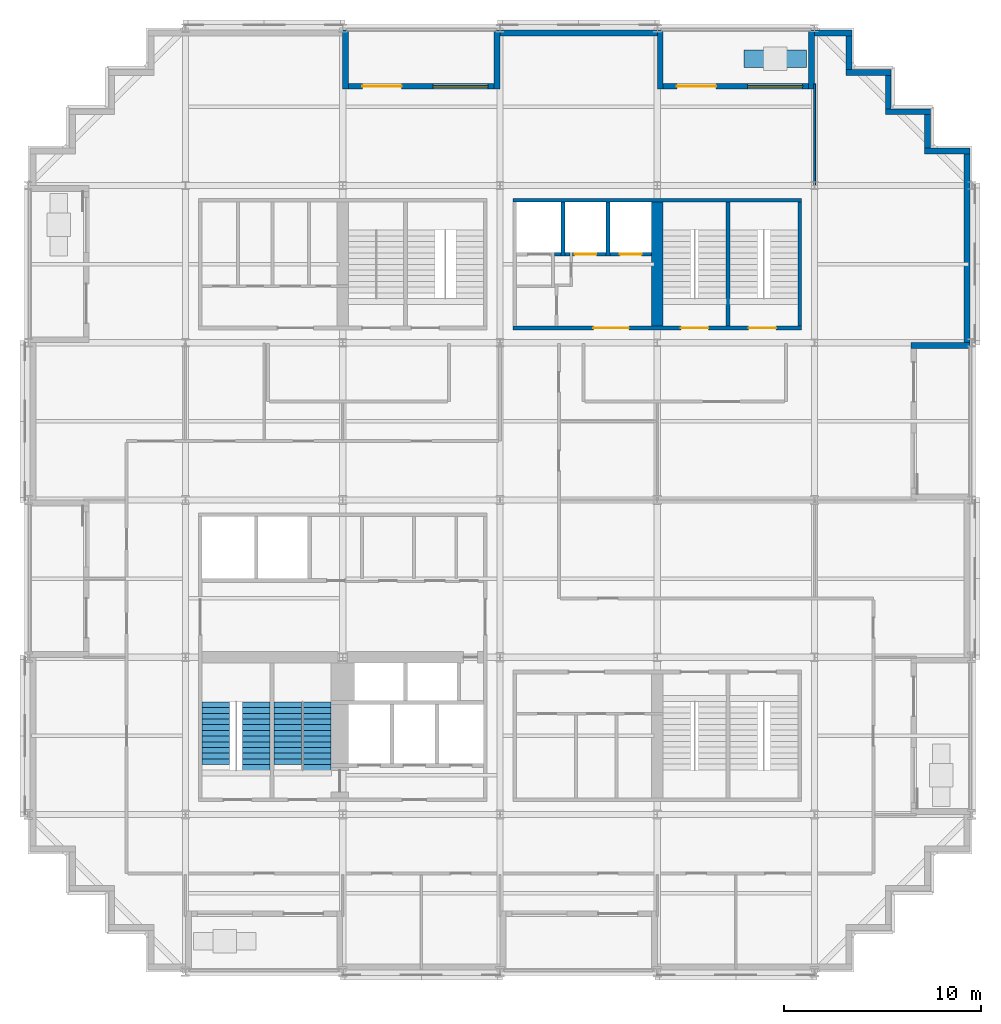
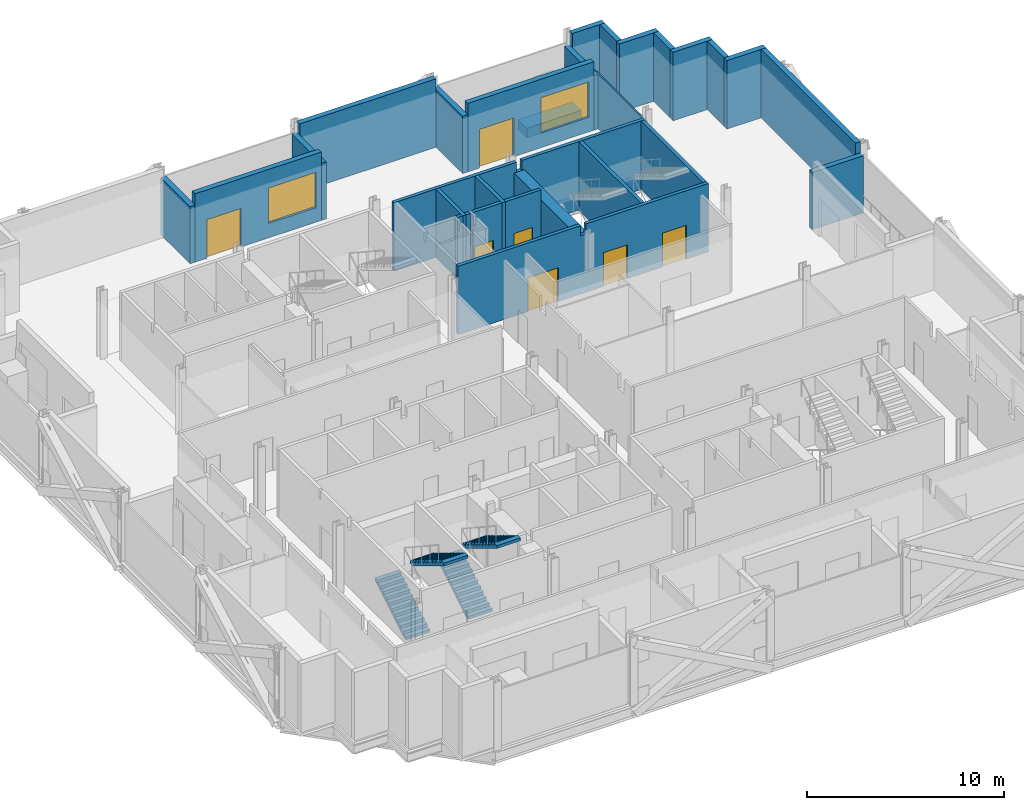
# One storey, part 9 of 13: 29 walls, 7 doors, 4 stair flights, 2 windows, 9 openings, 2 elements without a shape of their own.
"""IFC4 building model written with IfcOpenShell, lengths in metres."""

from ifc_helpers import new_model, si_unit, direction, frame, frame_2d, origin, place, context, subcontext, project, spatial, polyline, rectangle, outline, extrude, material, layer, layer_set, type_object, element, fill, aggregate, save


model = new_model("IFC4")

# Units and contexts
model_context = context("Model", 3, precision=1e-05, world=origin(), true_north=direction((0.0, 1.0)))
body_context = subcontext(model_context, "Body", "Model", "MODEL_VIEW")
ifc_project = project(units=[si_unit("LENGTHUNIT", "METRE"), si_unit("AREAUNIT", "SQUARE_METRE"), si_unit("VOLUMEUNIT", "CUBIC_METRE"), si_unit("PLANEANGLEUNIT", "RADIAN"), si_unit("MASSUNIT", "GRAM", prefix="KILO")], contexts=[model_context])

# Site, building, storey
site_placement = place(None, origin())
site = spatial("IfcSite", under=ifc_project, at=site_placement, CompositionType="ELEMENT")
building_placement = place(site_placement, origin())
building = spatial("IfcBuilding", under=site, at=building_placement, Name="Immortelle Media Tower", CompositionType="ELEMENT")
storey_placement = place(building_placement, frame((0.0, 0.0, 56.800048828125)))
storey = spatial("IfcBuildingStorey", under=building, at=storey_placement, Name="L09", CompositionType="ELEMENT", Elevation=56.800048828125)

# Walls
ifc_material_1 = material(Name="Fire-rated gypsum board", Category="gypsum")
ifc_layer_1 = layer(ifc_material_1, 0.03759765625)
ifc_material_2 = material(Name="Steel ASTM A653 SS Gr 50 stud frame with mineral wool", Category="steel")
ifc_layer_2 = layer(ifc_material_2, 0.125)
ifc_layer_3 = layer(ifc_material_1, 0.03759765625)
ifc_layer_set_1 = layer_set([ifc_layer_1, ifc_layer_2, ifc_layer_3], Name="Steel ASTM A653 SS Gr 50 stud frame with mineral wool")
wall_type_1 = type_object("IfcWallType", Name="Core shaft wall 200", PredefinedType="PARTITIONING", material=ifc_layer_set_1)
wall_1_placement = place(storey_placement, frame((26.77490234375, 36.5, 0.0), z_axis=(0.0, 0.0, 1.0), x_axis=(1.0, 0.0, 0.0)))
element("IfcWall", 1, at=wall_1_placement, inside=storey, type_object=wall_type_1, Name="Core shaft wall NE", PredefinedType="PARTITIONING", context=body_context, shape_type="SweptSolid", body=[
    extrude(rectangle(XDim=0.3251953125, YDim=0.199951171875, at=frame_2d((0.16259765625, 0.0))), origin(), (0.0, 0.0, 1.0), 4.25),
])
wall_2_placement = place(storey_placement, frame((27.199951171875, 36.39990234375, 0.0), z_axis=(0.0, 0.0, 1.0), x_axis=(0.0, 1.0, 0.0)))
element("IfcWall", 2, at=wall_2_placement, inside=storey, type_object=wall_type_1, Name="Core shaft wall NE", PredefinedType="PARTITIONING", context=body_context, shape_type="SweptSolid", body=[
    extrude(rectangle(XDim=2.75, YDim=0.199951171875, at=frame_2d((1.375, 0.0))), origin(), (0.0, 0.0, 1.0), 4.25),
])
wall_3_placement = place(storey_placement, frame((27.300048828125, 36.5, 0.0), z_axis=(0.0, 0.0, 1.0), x_axis=(1.0, 0.0, 0.0)))
element("IfcWall", 3, at=wall_3_placement, inside=storey, type_object=wall_type_1, Name="Core shaft wall NE", PredefinedType="PARTITIONING", context=body_context, shape_type="SweptSolid", body=[
    extrude(rectangle(XDim=0.25, YDim=0.199951171875, at=frame_2d((0.125, 0.0))), origin(), (0.0, 0.0, 1.0), 4.25),
])

# Wall, opening, door
wall_4_placement = place(storey_placement, frame((27.699951171875, 36.5, 0.0), z_axis=(0.0, 0.0, 1.0), x_axis=(1.0, 0.0, 0.0)))
wall_4 = element("IfcWall", 4, at=wall_4_placement, inside=storey, type_object=wall_type_1, Name="Core shaft wall NE", PredefinedType="PARTITIONING", context=body_context, shape_type="SweptSolid", body=[
    extrude(rectangle(XDim=1.699951171875, YDim=0.199951171875, at=frame_2d((0.85009765625, 0.0))), origin(), (0.0, 0.0, 1.0), 4.25),
])
opening_1_placement = place(wall_4_placement, frame((0.10009765625, 0.0, 0.0)))
opening_1 = element("IfcOpeningElement", 5, at=opening_1_placement, cuts=wall_4, Name="Opening LD", PredefinedType="OPENING", context=body_context, shape_type="SweptSolid", body=[
    extrude(rectangle(XDim=1.10009765625, YDim=2.10009765625, at=frame_2d((0.550048828125, 1.050048828125))), frame((0.0, 0.10986328125, 0.0), z_axis=(0.0, -1.0, 0.0), x_axis=(1.0, 0.0, 0.0)), (0.0, 0.0, 1.0), 0.219970703125),
])
ifc_material_3 = material(Name="Stainless steel AISI 304", Category="steel")
door_type_1 = type_object("IfcDoorType", Name="Landing door 1100 x 2100", OperationType="SLIDING_TO_LEFT", PredefinedType="NOTDEFINED", material=ifc_material_3)
door_1_placement = place(opening_1_placement, origin())
door_1 = element("IfcDoor", 6, at=door_1_placement, inside=storey, type_object=door_type_1, Name="Landing door LR2 L09", OperationType="SLIDING_TO_LEFT", OverallHeight=2.10009765625, OverallWidth=1.10009765625, PredefinedType="NOTDEFINED", context=body_context, shape_type="SweptSolid", body=[
    extrude(rectangle(XDim=1.10009765625, YDim=2.10009765625, at=frame_2d((0.550048828125, 1.050048828125))), frame((0.0, 0.02490234375, 0.0), z_axis=(0.0, -1.0, 0.0), x_axis=(1.0, 0.0, 0.0)), (0.0, 0.0, 1.0), 0.050048828125),
])
fill(opening_1, door_1)

# Wall
wall_5_placement = place(storey_placement, frame((29.5, 36.39990234375, 0.0), z_axis=(0.0, 0.0, 1.0), x_axis=(0.0, 1.0, 0.0)))
element("IfcWall", 7, at=wall_5_placement, inside=storey, type_object=wall_type_1, Name="Core shaft wall NE", PredefinedType="PARTITIONING", context=body_context, shape_type="SweptSolid", body=[
    extrude(rectangle(XDim=2.75, YDim=0.199951171875, at=frame_2d((1.375, 0.0))), origin(), (0.0, 0.0, 1.0), 4.25),
])

# Wall, opening, door
wall_6_placement = place(storey_placement, frame((29.60009765625, 36.5, 0.0), z_axis=(0.0, 0.0, 1.0), x_axis=(1.0, 0.0, 0.0)))
wall_6 = element("IfcWall", 8, at=wall_6_placement, inside=storey, type_object=wall_type_1, Name="Core shaft wall NE", PredefinedType="PARTITIONING", context=body_context, shape_type="SweptSolid", body=[
    extrude(rectangle(XDim=2.099853515625, YDim=0.199951171875, at=frame_2d((1.0498046875, 0.0))), origin(), (0.0, 0.0, 1.0), 4.25),
])
opening_2_placement = place(wall_6_placement, frame((0.5, 0.0, 0.0)))
opening_2 = element("IfcOpeningElement", 9, at=opening_2_placement, cuts=wall_6, Name="Opening LD", PredefinedType="OPENING", context=body_context, shape_type="SweptSolid", body=[
    extrude(rectangle(XDim=1.10009765625, YDim=2.10009765625, at=frame_2d((0.550048828125, 1.050048828125))), frame((0.0, 0.10986328125, 0.0), z_axis=(0.0, -1.0, 0.0), x_axis=(1.0, 0.0, 0.0)), (0.0, 0.0, 1.0), 0.219970703125),
])
door_2_placement = place(opening_2_placement, origin())
door_2 = element("IfcDoor", 10, at=door_2_placement, inside=storey, type_object=door_type_1, Name="Landing door LR3 L09", OperationType="SLIDING_TO_LEFT", OverallHeight=2.10009765625, OverallWidth=1.10009765625, PredefinedType="NOTDEFINED", context=body_context, shape_type="SweptSolid", body=[
    extrude(rectangle(XDim=1.10009765625, YDim=2.10009765625, at=frame_2d((0.550048828125, 1.050048828125))), frame((0.0, 0.02490234375, 0.0), z_axis=(0.0, -1.0, 0.0), x_axis=(1.0, 0.0, 0.0)), (0.0, 0.0, 1.0), 0.050048828125),
])
fill(opening_2, door_2)

# Walls
ifc_material_4 = material(Name="Pale aluminium cladding panel", Category="aluminium")
ifc_layer_4 = layer(ifc_material_4, 0.030029296875)
ifc_layer_5 = layer(ifc_material_2, 0.257568359375)
ifc_material_5 = material(Name="Moisture-resistant gypsum board", Category="gypsum")
ifc_layer_6 = layer(ifc_material_5, 0.012451171875)
ifc_layer_set_2 = layer_set([ifc_layer_4, ifc_layer_5, ifc_layer_6], Name="Steel ASTM A653 SS Gr 50 stud frame with mineral wool")
wall_type_2 = type_object("IfcWallType", Name="Facade wall 300", PredefinedType="SOLIDWALL", material=ifc_layer_set_2)
wall_7_placement = place(storey_placement, frame((47.89990234375, 31.85009765625, 0.0), z_axis=(0.0, 0.0, 1.0), x_axis=(-1.0, 0.0, 0.0)))
element("IfcWall", 11, at=wall_7_placement, inside=storey, type_object=wall_type_2, Name="Loggia cheek wall L09 E", PredefinedType="SOLIDWALL", context=body_context, shape_type="SweptSolid", body=[
    extrude(rectangle(XDim=3.0, YDim=0.300048828125, at=frame_2d((1.5, 0.0))), origin(), (0.0, 0.0, 1.0), 3.552978515625),
])
wall_8_placement = place(storey_placement, frame((47.75, 32.0, 0.0), z_axis=(0.0, 0.0, 1.0), x_axis=(0.0, 1.0, 0.0)))
element("IfcWall", 12, at=wall_8_placement, inside=storey, type_object=wall_type_2, Name="Facade wall L09 E14", PredefinedType="SOLIDWALL", context=body_context, shape_type="SweptSolid", body=[
    extrude(rectangle(XDim=9.60009765625, YDim=0.300048828125, at=frame_2d((4.800048828125, 0.0))), origin(), (0.0, 0.0, 1.0), 4.25),
])
wall_9_placement = place(storey_placement, frame((47.89990234375, 41.75, 0.0), z_axis=(0.0, 0.0, 1.0), x_axis=(-1.0, 0.0, 0.0)))
element("IfcWall", 13, at=wall_9_placement, inside=storey, type_object=wall_type_2, Name="Facade wall L09 N15", PredefinedType="SOLIDWALL", context=body_context, shape_type="SweptSolid", body=[
    extrude(rectangle(XDim=2.2998046875, YDim=0.300048828125, at=frame_2d((1.14990234375, 0.0))), origin(), (0.0, 0.0, 1.0), 4.25),
])
wall_10_placement = place(storey_placement, frame((45.75, 41.89990234375, 0.0), z_axis=(0.0, 0.0, 1.0), x_axis=(0.0, 1.0, 0.0)))
element("IfcWall", 14, at=wall_10_placement, inside=storey, type_object=wall_type_2, Name="Facade wall L09 E16", PredefinedType="SOLIDWALL", context=body_context, shape_type="SweptSolid", body=[
    extrude(rectangle(XDim=1.7001953125, YDim=0.300048828125, at=frame_2d((0.85009765625, 0.0))), origin(), (0.0, 0.0, 1.0), 4.25),
])
wall_11_placement = place(storey_placement, frame((45.89990234375, 43.75, 0.0), z_axis=(0.0, 0.0, 1.0), x_axis=(-1.0, 0.0, 0.0)))
element("IfcWall", 15, at=wall_11_placement, inside=storey, type_object=wall_type_2, Name="Facade wall L09 N17", PredefinedType="SOLIDWALL", context=body_context, shape_type="SweptSolid", body=[
    extrude(rectangle(XDim=2.2998046875, YDim=0.300048828125, at=frame_2d((1.14990234375, 0.0))), origin(), (0.0, 0.0, 1.0), 4.25),
])
wall_12_placement = place(storey_placement, frame((43.75, 43.89990234375, 0.0), z_axis=(0.0, 0.0, 1.0), x_axis=(0.0, 1.0, 0.0)))
element("IfcWall", 16, at=wall_12_placement, inside=storey, type_object=wall_type_2, Name="Facade wall L09 E18", PredefinedType="SOLIDWALL", context=body_context, shape_type="SweptSolid", body=[
    extrude(rectangle(XDim=1.7001953125, YDim=0.300048828125, at=frame_2d((0.85009765625, 0.0))), origin(), (0.0, 0.0, 1.0), 4.25),
])
wall_13_placement = place(storey_placement, frame((43.89990234375, 45.75, 0.0), z_axis=(0.0, 0.0, 1.0), x_axis=(-1.0, 0.0, 0.0)))
element("IfcWall", 17, at=wall_13_placement, inside=storey, type_object=wall_type_2, Name="Facade wall L09 N19", PredefinedType="SOLIDWALL", context=body_context, shape_type="SweptSolid", body=[
    extrude(rectangle(XDim=2.2998046875, YDim=0.300048828125, at=frame_2d((1.14990234375, 0.0))), origin(), (0.0, 0.0, 1.0), 4.25),
])
wall_14_placement = place(storey_placement, frame((41.75, 45.89990234375, 0.0), z_axis=(0.0, 0.0, 1.0), x_axis=(0.0, 1.0, 0.0)))
element("IfcWall", 18, at=wall_14_placement, inside=storey, type_object=wall_type_2, Name="Facade wall L09 E20", PredefinedType="SOLIDWALL", context=body_context, shape_type="SweptSolid", body=[
    extrude(rectangle(XDim=1.7001953125, YDim=0.300048828125, at=frame_2d((0.85009765625, 0.0))), origin(), (0.0, 0.0, 1.0), 4.25),
])
wall_15_placement = place(storey_placement, frame((41.89990234375, 47.75, 0.0), z_axis=(0.0, 0.0, 1.0), x_axis=(-1.0, 0.0, 0.0)))
element("IfcWall", 19, at=wall_15_placement, inside=storey, type_object=wall_type_2, Name="Facade wall L09 N21", PredefinedType="SOLIDWALL", context=body_context, shape_type="SweptSolid", body=[
    extrude(rectangle(XDim=1.89990234375, YDim=0.300048828125, at=frame_2d((0.949951171875, 0.0))), origin(), (0.0, 0.0, 1.0), 4.25),
])

# Wall, openings, door, window
wall_16_placement = place(storey_placement, frame((39.699951171875, 45.050048828125, 0.0), z_axis=(0.0, 0.0, 1.0), x_axis=(-1.0, 0.0, 0.0)))
wall_16 = element("IfcWall", 20, at=wall_16_placement, inside=storey, type_object=wall_type_2, Name="Loggia wall L09 N21", PredefinedType="SOLIDWALL", context=body_context, shape_type="SweptSolid", body=[
    extrude(rectangle(XDim=7.39990234375, YDim=0.300048828125, at=frame_2d((3.699951171875, 0.0))), origin(), (0.0, 0.0, 1.0), 4.25),
])
opening_3_placement = place(wall_16_placement, frame((0.300048828125, 0.0, 0.89990234375)))
opening_3 = element("IfcOpeningElement", 21, at=opening_3_placement, cuts=wall_16, Name="Opening W1", PredefinedType="OPENING", context=body_context, shape_type="SweptSolid", body=[
    extrude(rectangle(XDim=2.800048828125, YDim=2.199951171875, at=frame_2d((1.39990234375, 1.10009765625))), frame((0.0, 0.159912109375, 0.0), z_axis=(0.0, -1.0, 0.0), x_axis=(1.0, 0.0, 0.0)), (0.0, 0.0, 1.0), 0.320068359375),
])
opening_4_placement = place(wall_16_placement, frame((4.699951171875, 0.0, 0.0)))
opening_4 = element("IfcOpeningElement", 22, at=opening_4_placement, cuts=wall_16, Name="Opening N2-E007", PredefinedType="OPENING", context=body_context, shape_type="SweptSolid", body=[
    extrude(rectangle(XDim=2.0, YDim=2.39990234375, at=frame_2d((1.0, 1.199951171875))), frame((0.0, 0.159912109375, 0.0), z_axis=(0.0, -1.0, 0.0), x_axis=(1.0, 0.0, 0.0)), (0.0, 0.0, 1.0), 0.320068359375),
])
ifc_material_6 = material(Name="Aluminium frame, glazed leaves", Category="aluminium")
door_type_2 = type_object("IfcDoorType", Name="Loggia door 2000 x 2400", OperationType="DOUBLE_DOOR_SINGLE_SWING", PredefinedType="DOOR", material=ifc_material_6)
door_3_placement = place(opening_4_placement, origin())
door_3 = element("IfcDoor", 23, at=door_3_placement, inside=storey, type_object=door_type_2, Name="Door N2-E007", OperationType="DOUBLE_DOOR_SINGLE_SWING", OverallHeight=2.39990234375, OverallWidth=2.0, PredefinedType="DOOR", context=body_context, shape_type="SweptSolid", body=[
    extrude(rectangle(XDim=2.0, YDim=2.39990234375, at=frame_2d((1.0, 1.199951171875))), frame((0.0, 0.02490234375, 0.0), z_axis=(0.0, -1.0, 0.0), x_axis=(1.0, 0.0, 0.0)), (0.0, 0.0, 1.0), 0.050048828125),
])
fill(opening_4, door_3)
ifc_material_7 = material(Name="Aluminium frame", Category="aluminium")
window_type = type_object("IfcWindowType", Name="Window 2800 x 2200", PartitioningType="SINGLE_PANEL", PredefinedType="WINDOW", material=ifc_material_7)
window_1_placement = place(opening_3_placement, origin())
window_1 = element("IfcWindow", 24, at=window_1_placement, inside=storey, type_object=window_type, Name="Window L09 L09-R21-B0", OverallHeight=2.199951171875, OverallWidth=2.800048828125, PartitioningType="SINGLE_PANEL", PredefinedType="WINDOW", context=body_context, shape_type="SweptSolid", body=[
    extrude(rectangle(XDim=2.800048828125, YDim=2.199951171875, at=frame_2d((1.39990234375, 1.10009765625))), frame((0.0, 0.030029296875, 0.0), z_axis=(0.0, -1.0, 0.0), x_axis=(1.0, 0.0, 0.0)), (0.0, 0.0, 1.0), 0.06005859375),
])
fill(opening_3, window_1)

# Walls
wall_17_placement = place(storey_placement, frame((39.85009765625, 47.89990234375, 0.0), z_axis=(0.0, 0.0, 1.0), x_axis=(0.0, -1.0, 0.0)))
element("IfcWall", 25, at=wall_17_placement, inside=storey, type_object=wall_type_2, Name="Loggia cheek wall L09 N", PredefinedType="SOLIDWALL", context=body_context, shape_type="SweptSolid", body=[
    extrude(rectangle(XDim=3.0, YDim=0.300048828125, at=frame_2d((1.5, 0.0))), origin(), (0.0, 0.0, 1.0), 3.389892578125),
])
wall_18_placement = place(storey_placement, frame((32.14990234375, 47.89990234375, 0.0), z_axis=(0.0, 0.0, 1.0), x_axis=(0.0, -1.0, 0.0)))
element("IfcWall", 26, at=wall_18_placement, inside=storey, type_object=wall_type_2, Name="Loggia cheek wall L09 N", PredefinedType="SOLIDWALL", context=body_context, shape_type="SweptSolid", body=[
    extrude(rectangle(XDim=3.0, YDim=0.300048828125, at=frame_2d((1.5, 0.0))), origin(), (0.0, 0.0, 1.0), 3.552978515625),
])
wall_19_placement = place(storey_placement, frame((32.0, 47.75, 0.0), z_axis=(0.0, 0.0, 1.0), x_axis=(-1.0, 0.0, 0.0)))
element("IfcWall", 27, at=wall_19_placement, inside=storey, type_object=wall_type_2, Name="Facade wall L09 N21", PredefinedType="SOLIDWALL", context=body_context, shape_type="SweptSolid", body=[
    extrude(rectangle(XDim=8.0, YDim=0.300048828125, at=frame_2d((4.0, 0.0))), origin(), (0.0, 0.0, 1.0), 4.25),
])

# Wall, openings, door, window
wall_20_placement = place(storey_placement, frame((23.699951171875, 45.050048828125, 0.0), z_axis=(0.0, 0.0, 1.0), x_axis=(-1.0, 0.0, 0.0)))
wall_20 = element("IfcWall", 28, at=wall_20_placement, inside=storey, type_object=wall_type_2, Name="Loggia wall L09 N21", PredefinedType="SOLIDWALL", context=body_context, shape_type="SweptSolid", body=[
    extrude(rectangle(XDim=7.39990234375, YDim=0.300048828125, at=frame_2d((3.699951171875, 0.0))), origin(), (0.0, 0.0, 1.0), 4.25),
])
opening_5_placement = place(wall_20_placement, frame((0.300048828125, 0.0, 0.89990234375)))
opening_5 = element("IfcOpeningElement", 29, at=opening_5_placement, cuts=wall_20, Name="Opening W1", PredefinedType="OPENING", context=body_context, shape_type="SweptSolid", body=[
    extrude(rectangle(XDim=2.800048828125, YDim=2.199951171875, at=frame_2d((1.39990234375, 1.10009765625))), frame((0.0, 0.159912109375, 0.0), z_axis=(0.0, -1.0, 0.0), x_axis=(1.0, 0.0, 0.0)), (0.0, 0.0, 1.0), 0.320068359375),
])
opening_6_placement = place(wall_20_placement, frame((4.699951171875, 0.0, 0.0)))
opening_6 = element("IfcOpeningElement", 30, at=opening_6_placement, cuts=wall_20, Name="Opening N2-E008", PredefinedType="OPENING", context=body_context, shape_type="SweptSolid", body=[
    extrude(rectangle(XDim=2.0, YDim=2.39990234375, at=frame_2d((1.0, 1.199951171875))), frame((0.0, 0.159912109375, 0.0), z_axis=(0.0, -1.0, 0.0), x_axis=(1.0, 0.0, 0.0)), (0.0, 0.0, 1.0), 0.320068359375),
])
door_4_placement = place(opening_6_placement, origin())
door_4 = element("IfcDoor", 31, at=door_4_placement, inside=storey, type_object=door_type_2, Name="Door N2-E008", OperationType="DOUBLE_DOOR_SINGLE_SWING", OverallHeight=2.39990234375, OverallWidth=2.0, PredefinedType="DOOR", context=body_context, shape_type="SweptSolid", body=[
    extrude(rectangle(XDim=2.0, YDim=2.39990234375, at=frame_2d((1.0, 1.199951171875))), frame((0.0, 0.02490234375, 0.0), z_axis=(0.0, -1.0, 0.0), x_axis=(1.0, 0.0, 0.0)), (0.0, 0.0, 1.0), 0.050048828125),
])
fill(opening_6, door_4)
window_2_placement = place(opening_5_placement, origin())
window_2 = element("IfcWindow", 32, at=window_2_placement, inside=storey, type_object=window_type, Name="Window L09 L09-R21-B2", OverallHeight=2.199951171875, OverallWidth=2.800048828125, PartitioningType="SINGLE_PANEL", PredefinedType="WINDOW", context=body_context, shape_type="SweptSolid", body=[
    extrude(rectangle(XDim=2.800048828125, YDim=2.199951171875, at=frame_2d((1.39990234375, 1.10009765625))), frame((0.0, 0.030029296875, 0.0), z_axis=(0.0, -1.0, 0.0), x_axis=(1.0, 0.0, 0.0)), (0.0, 0.0, 1.0), 0.06005859375),
])
fill(opening_5, window_2)

# Walls
for number, where, z_axis, x_axis, name in (
    (33, (23.85009765625, 47.89990234375, 0.0), (0.0, 0.0, 1.0), (0.0, -1.0, 0.0), "Loggia cheek wall L09 N"),
    (34, (16.14990234375, 47.89990234375, 0.0), (0.0, 0.0, 1.0), (0.0, -1.0, 0.0), "Loggia cheek wall L09 N"),
):
    element("IfcWall", number, at=place(storey_placement, frame(where, z_axis=z_axis, x_axis=x_axis)), inside=storey, type_object=wall_type_2, Name=name, PredefinedType="SOLIDWALL", context=body_context, shape_type="SweptSolid", body=[
        extrude(rectangle(XDim=3.0, YDim=0.300048828125, at=frame_2d((1.5, 0.0))), origin(), (0.0, 0.0, 1.0), 3.552978515625),
    ])
ifc_material_8 = material(Name="Gypsum board", Category="gypsum")
ifc_layer_7 = layer(ifc_material_8, 0.012451171875)
ifc_layer_8 = layer(ifc_material_2, 0.074951171875)
ifc_layer_9 = layer(ifc_material_8, 0.012451171875)
ifc_layer_set_3 = layer_set([ifc_layer_7, ifc_layer_8, ifc_layer_9], Name="Steel ASTM A653 SS Gr 50 stud frame with mineral wool")
wall_type_3 = type_object("IfcWallType", Name="Partition 100", PredefinedType="PARTITIONING", material=ifc_layer_set_3)
wall_21_placement = place(storey_placement, frame((40.0, 40.030029296875, 0.0), z_axis=(0.0, 0.0, 1.0), x_axis=(0.0, 1.0, 0.0)))
element("IfcWall", 35, at=wall_21_placement, inside=storey, type_object=wall_type_3, Name="Partition L09-035", PredefinedType="PARTITIONING", context=body_context, shape_type="SweptSolid", body=[
    extrude(rectangle(XDim=5.139892578125, YDim=0.10009765625, at=frame_2d((2.56982421875, 0.0))), origin(), (0.0, 0.0, 1.0), 3.390869140625),
])
ifc_layer_10 = layer(ifc_material_4, 0.0029296875)
ifc_material_9 = material(Name="Steel ASTM A572 Gr 50 planter shell", Category="steel")
ifc_layer_11 = layer(ifc_material_9, 0.011962890625)
ifc_material_10 = material(Name="Planting substrate", Category="soil")
ifc_layer_12 = layer(ifc_material_10, 0.873046875)
ifc_layer_13 = layer(ifc_material_9, 0.011962890625)
ifc_layer_set_4 = layer_set([ifc_layer_10, ifc_layer_11, ifc_layer_12, ifc_layer_13], Name="Steel ASTM A572 Gr 50 planter shell")
wall_type_4 = type_object("IfcWallType", Name="Planter wall 900", PredefinedType="SOLIDWALL", material=ifc_layer_set_4)
wall_22_placement = place(storey_placement, frame((39.60009765625, 46.449951171875, 0.0), z_axis=(0.0, 0.0, 1.0), x_axis=(-1.0, 0.0, 0.0)))
element("IfcWall", 36, at=wall_22_placement, inside=storey, type_object=wall_type_4, Name="Planter L09 N0", PredefinedType="SOLIDWALL", context=body_context, shape_type="SweptSolid", body=[
    extrude(rectangle(XDim=3.2001953125, YDim=0.89990234375, at=frame_2d((1.60009765625, 0.0))), origin(), (0.0, 0.0, 1.0), 0.599853515625),
])

# Wall, openings, doors
ifc_material_11 = material(Name="Concrete C60", Category="concrete")
ifc_layer_14 = layer(ifc_material_11, 0.199951171875)
ifc_layer_set_5 = layer_set([ifc_layer_14], Name="Concrete C60")
wall_type_5 = type_object("IfcWallType", Name="Stair shaft wall 200", PredefinedType="PARTITIONING", material=ifc_layer_set_5)
wall_23_placement = place(storey_placement, frame((24.64990234375, 32.75, 0.0), z_axis=(0.0, 0.0, 1.0), x_axis=(1.0, 0.0, 0.0)))
wall_23 = element("IfcWall", 37, at=wall_23_placement, inside=storey, type_object=wall_type_5, Name="Stair shaft wall NE", PredefinedType="PARTITIONING", context=body_context, shape_type="SweptSolid", body=[
    extrude(outline(polyline([(0.0, 0.0), (14.7001953125, 0.0), (14.699951171875, 4.25), (7.51708984375, 4.25), (7.51611328125, 3.6318359375), (7.18408203125, 3.6318359375), (7.18310546875, 4.25), (0.0, 4.25), (0.0, 0.0)])), frame((0.0, 0.10009765625, 0.0), z_axis=(0.0, -1.0, 0.0), x_axis=(1.0, 0.0, 0.0)), (0.0, 0.0, 1.0), 0.199951171875),
])
opening_7_placement = place(wall_23_placement, frame((4.10009765625, 0.0, 0.0)))
opening_7 = element("IfcOpeningElement", 38, at=opening_7_placement, cuts=wall_23, Name="Opening N2-K034", PredefinedType="OPENING", context=body_context, shape_type="SweptSolid", body=[
    extrude(rectangle(XDim=1.800048828125, YDim=2.10009765625, at=frame_2d((0.89990234375, 1.050048828125))), frame((0.0, 0.10986328125, 0.0), z_axis=(0.0, -1.0, 0.0), x_axis=(1.0, 0.0, 0.0)), (0.0, 0.0, 1.0), 0.219970703125),
])
opening_8_placement = place(wall_23_placement, frame((8.550048828125, 0.0, 0.0)))
opening_8 = element("IfcOpeningElement", 39, at=opening_8_placement, cuts=wall_23, Name="Opening N2-K038", PredefinedType="OPENING", context=body_context, shape_type="SweptSolid", body=[
    extrude(rectangle(XDim=1.39990234375, YDim=2.10009765625, at=frame_2d((0.699951171875, 1.050048828125))), frame((0.0, 0.10986328125, 0.0), z_axis=(0.0, -1.0, 0.0), x_axis=(1.0, 0.0, 0.0)), (0.0, 0.0, 1.0), 0.219970703125),
])
opening_9_placement = place(wall_23_placement, frame((12.0, 0.0, 0.0)))
opening_9 = element("IfcOpeningElement", 40, at=opening_9_placement, cuts=wall_23, Name="Opening N2-K039", PredefinedType="OPENING", context=body_context, shape_type="SweptSolid", body=[
    extrude(rectangle(XDim=1.39990234375, YDim=2.10009765625, at=frame_2d((0.699951171875, 1.050048828125))), frame((0.0, 0.10986328125, 0.0), z_axis=(0.0, -1.0, 0.0), x_axis=(1.0, 0.0, 0.0)), (0.0, 0.0, 1.0), 0.219970703125),
])
ifc_material_12 = material(Name="Galvanised steel door leaf and frame ASTM A653", Category="steel")
door_type_3 = type_object("IfcDoorType", Name="Lift lobby door 1800 x 2100", OperationType="DOUBLE_DOOR_SINGLE_SWING", PredefinedType="NOTDEFINED", material=ifc_material_12)
door_5_placement = place(opening_7_placement, origin())
door_5 = element("IfcDoor", 41, at=door_5_placement, inside=storey, type_object=door_type_3, Name="Lift lobby N2-K034", OperationType="DOUBLE_DOOR_SINGLE_SWING", OverallHeight=2.10009765625, OverallWidth=1.800048828125, PredefinedType="NOTDEFINED", context=body_context, shape_type="SweptSolid", body=[
    extrude(rectangle(XDim=1.800048828125, YDim=2.10009765625, at=frame_2d((0.89990234375, 1.050048828125))), frame((0.0, 0.02490234375, 0.0), z_axis=(0.0, -1.0, 0.0), x_axis=(1.0, 0.0, 0.0)), (0.0, 0.0, 1.0), 0.050048828125),
])
fill(opening_7, door_5)
door_type_4 = type_object("IfcDoorType", Name="Stair door 1400 x 2100", OperationType="DOUBLE_DOOR_SINGLE_SWING", PredefinedType="NOTDEFINED", material=ifc_material_12)
door_6_placement = place(opening_8_placement, origin())
door_6 = element("IfcDoor", 42, at=door_6_placement, inside=storey, type_object=door_type_4, Name="Stair N2-K038", OperationType="DOUBLE_DOOR_SINGLE_SWING", OverallHeight=2.10009765625, OverallWidth=1.39990234375, PredefinedType="NOTDEFINED", context=body_context, shape_type="SweptSolid", body=[
    extrude(rectangle(XDim=1.39990234375, YDim=2.10009765625, at=frame_2d((0.699951171875, 1.050048828125))), frame((0.0, 0.02490234375, 0.0), z_axis=(0.0, -1.0, 0.0), x_axis=(1.0, 0.0, 0.0)), (0.0, 0.0, 1.0), 0.050048828125),
])
fill(opening_8, door_6)
door_7_placement = place(opening_9_placement, origin())
door_7 = element("IfcDoor", 43, at=door_7_placement, inside=storey, type_object=door_type_4, Name="Stair N2-K039", OperationType="DOUBLE_DOOR_SINGLE_SWING", OverallHeight=2.10009765625, OverallWidth=1.39990234375, PredefinedType="NOTDEFINED", context=body_context, shape_type="SweptSolid", body=[
    extrude(rectangle(XDim=1.39990234375, YDim=2.10009765625, at=frame_2d((0.699951171875, 1.050048828125))), frame((0.0, 0.02490234375, 0.0), z_axis=(0.0, -1.0, 0.0), x_axis=(1.0, 0.0, 0.0)), (0.0, 0.0, 1.0), 0.050048828125),
])
fill(opening_9, door_7)

# Walls
wall_24_placement = place(storey_placement, frame((24.64990234375, 39.25, 0.0), z_axis=(0.0, 0.0, 1.0), x_axis=(1.0, 0.0, 0.0)))
element("IfcWall", 44, at=wall_24_placement, inside=storey, type_object=wall_type_5, Name="Stair shaft wall NE", PredefinedType="PARTITIONING", context=body_context, shape_type="SweptSolid", body=[
    extrude(outline(polyline([(0.0, 0.0), (14.7001953125, 0.0), (14.699951171875, 4.25), (7.51708984375, 4.25), (7.51611328125, 3.6318359375), (7.18408203125, 3.6318359375), (7.18310546875, 4.25), (0.0, 4.25), (0.0, 0.0)])), frame((0.0, 0.10009765625, 0.0), z_axis=(0.0, -1.0, 0.0), x_axis=(1.0, 0.0, 0.0)), (0.0, 0.0, 1.0), 0.199951171875),
])
for number, where, z_axis, x_axis, name in (
    (45, (35.60009765625, 32.85009765625, 0.0), (0.0, 0.0, 1.0), (0.0, 1.0, 0.0), "Stair shaft wall NE"),
    (46, (39.25, 32.85009765625, 0.0), (0.0, 0.0, 1.0), (0.0, 1.0, 0.0), "Stair shaft wall NE"),
):
    element("IfcWall", number, at=place(storey_placement, frame(where, z_axis=z_axis, x_axis=x_axis)), inside=storey, type_object=wall_type_5, Name=name, PredefinedType="PARTITIONING", context=body_context, shape_type="SweptSolid", body=[
        extrude(rectangle(XDim=6.2998046875, YDim=0.199951171875, at=frame_2d((3.14990234375, 0.0))), origin(), (0.0, 0.0, 1.0), 4.25),
    ])
ifc_layer_15 = layer(ifc_material_11, 0.60009765625)
ifc_layer_set_6 = layer_set([ifc_layer_15], Name="Concrete C60")
wall_type_6 = type_object("IfcWallType", Name="Stair shaft wall 600", PredefinedType="PARTITIONING", material=ifc_layer_set_6)
wall_25_placement = place(storey_placement, frame((32.0, 32.85009765625, 0.0), z_axis=(0.0, 0.0, 1.0), x_axis=(0.0, 1.0, 0.0)))
element("IfcWall", 47, at=wall_25_placement, inside=storey, type_object=wall_type_6, Name="Stair shaft wall NE", PredefinedType="PARTITIONING", context=body_context, shape_type="SweptSolid", body=[
    extrude(rectangle(XDim=6.2998046875, YDim=0.60009765625, at=frame_2d((3.14990234375, 0.0))), origin(), (0.0, 0.0, 1.0), 3.6318359375),
])

# Stair, stair flights
ifc_material_13 = material(Name="Steel ASTM A992 Gr 50", Category="steel")
stair_type = type_object("IfcStairType", Name="Stair with flights", PredefinedType="DOUBLE_RETURN_STAIR", material=ifc_material_13)
stair_1_placement = place(storey_placement, origin())
stair_1 = element("IfcStair", 48, at=stair_1_placement, inside=storey, type_object=stair_type, Name="Exit stair SW1", PredefinedType="DOUBLE_RETURN_STAIR")
stair_flight_type = type_object("IfcStairFlightType", Name="Stair flight 1400", PredefinedType="STRAIGHT", material=ifc_material_13)
stair_flight_1_placement = place(storey_placement, frame((9.550048828125, 10.5400390625, 0.0), z_axis=(0.0, 0.0, 1.0), x_axis=(0.0, 1.0, 0.0)))
stair_flight_1 = element("IfcStairFlight", 49, at=stair_flight_1_placement, type_object=stair_flight_type, Name="ST SW1 flight 1", NumberOfRisers=12, NumberOfTreads=11, PredefinedType="STRAIGHT", RiserHeight=0.176, TreadLength=0.29, context=body_context, shape_type="SweptSolid", body=[
    extrude(outline(polyline([(0.0, 0.0), (0.0, 0.176025390625), (0.2900390625, 0.176025390625), (0.2900390625, 0.35205078125), (0.580078125, 0.35205078125), (0.580078125, 0.528076171875), (0.8701171875, 0.528076171875), (0.8701171875, 0.7041015625), (1.159912109375, 0.7041015625), (1.159912109375, 0.8798828125), (1.449951171875, 0.8798828125), (1.449951171875, 1.055908203125), (1.739990234375, 1.055908203125), (1.739990234375, 1.23193359375), (2.030029296875, 1.23193359375), (2.030029296875, 1.407958984375), (2.320068359375, 1.407958984375), (2.320068359375, 1.583984375), (2.610107421875, 1.583984375), (2.610107421875, 1.760009765625), (2.89990234375, 1.760009765625), (2.89990234375, 1.93603515625), (3.18994140625, 1.93603515625), (3.18994140625, 2.112060546875), (3.18994140625, 1.7607421875), (0.288818359375, 0.0), (0.0, 0.0)])), frame((0.0, 0.699951171875, 0.0), z_axis=(0.0, -1.0, 0.0), x_axis=(1.0, 0.0, 0.0)), (0.0, 0.0, 1.0), 1.39990234375),
])
stair_flight_2_placement = place(storey_placement, frame((11.60009765625, 13.72998046875, 2.112060546875), z_axis=(0.0, 0.0, 1.0), x_axis=(0.0, -1.0, 0.0)))
stair_flight_2 = element("IfcStairFlight", 50, at=stair_flight_2_placement, type_object=stair_flight_type, Name="ST SW1 flight 2", NumberOfRisers=13, NumberOfTreads=12, PredefinedType="STRAIGHT", RiserHeight=0.176, TreadLength=0.29, context=body_context, shape_type="SweptSolid", body=[
    extrude(outline(polyline([(0.0, 0.0), (0.0, 0.176025390625), (0.2900390625, 0.176025390625), (0.2900390625, 0.35205078125), (0.580078125, 0.35205078125), (0.580078125, 0.528076171875), (0.8701171875, 0.528076171875), (0.8701171875, 0.7041015625), (1.159912109375, 0.7041015625), (1.159912109375, 0.8798828125), (1.449951171875, 0.8798828125), (1.449951171875, 1.055908203125), (1.739990234375, 1.055908203125), (1.739990234375, 1.23193359375), (2.030029296875, 1.23193359375), (2.030029296875, 1.407958984375), (2.320068359375, 1.407958984375), (2.320068359375, 1.583984375), (2.610107421875, 1.583984375), (2.610107421875, 1.760009765625), (2.89990234375, 1.760009765625), (2.89990234375, 1.93603515625), (3.18994140625, 1.93603515625), (3.18994140625, 2.112060546875), (3.47998046875, 2.112060546875), (3.47998046875, 2.2880859375), (3.47998046875, 1.936767578125), (0.288818359375, 0.0), (0.0, 0.0)])), frame((0.0, 0.699951171875, 0.0), z_axis=(0.0, -1.0, 0.0), x_axis=(1.0, 0.0, 0.0)), (0.0, 0.0, 1.0), 1.39990234375),
])
aggregate(stair_1, [stair_flight_1, stair_flight_2])

stair_2_placement = place(storey_placement, origin())
stair_2 = element("IfcStair", 51, at=stair_2_placement, inside=storey, type_object=stair_type, Name="Exit stair SW2", PredefinedType="DOUBLE_RETURN_STAIR")
stair_flight_3_placement = place(storey_placement, frame((13.199951171875, 10.5400390625, 0.0), z_axis=(0.0, 0.0, 1.0), x_axis=(0.0, 1.0, 0.0)))
stair_flight_3 = element("IfcStairFlight", 52, at=stair_flight_3_placement, type_object=stair_flight_type, Name="ST SW2 flight 1", NumberOfRisers=12, NumberOfTreads=11, PredefinedType="STRAIGHT", RiserHeight=0.176, TreadLength=0.29, context=body_context, shape_type="SweptSolid", body=[
    extrude(outline(polyline([(0.0, 0.0), (0.0, 0.176025390625), (0.2900390625, 0.176025390625), (0.2900390625, 0.35205078125), (0.580078125, 0.35205078125), (0.580078125, 0.528076171875), (0.8701171875, 0.528076171875), (0.8701171875, 0.7041015625), (1.159912109375, 0.7041015625), (1.159912109375, 0.8798828125), (1.449951171875, 0.8798828125), (1.449951171875, 1.055908203125), (1.739990234375, 1.055908203125), (1.739990234375, 1.23193359375), (2.030029296875, 1.23193359375), (2.030029296875, 1.407958984375), (2.320068359375, 1.407958984375), (2.320068359375, 1.583984375), (2.610107421875, 1.583984375), (2.610107421875, 1.760009765625), (2.89990234375, 1.760009765625), (2.89990234375, 1.93603515625), (3.18994140625, 1.93603515625), (3.18994140625, 2.112060546875), (3.18994140625, 1.7607421875), (0.288818359375, 0.0), (0.0, 0.0)])), frame((0.0, 0.699951171875, 0.0), z_axis=(0.0, -1.0, 0.0), x_axis=(1.0, 0.0, 0.0)), (0.0, 0.0, 1.0), 1.39990234375),
])
stair_flight_4_placement = place(storey_placement, frame((14.699951171875, 13.72998046875, 2.112060546875), z_axis=(0.0, 0.0, 1.0), x_axis=(0.0, -1.0, 0.0)))
stair_flight_4 = element("IfcStairFlight", 53, at=stair_flight_4_placement, type_object=stair_flight_type, Name="ST SW2 flight 2", NumberOfRisers=13, NumberOfTreads=12, PredefinedType="STRAIGHT", RiserHeight=0.176, TreadLength=0.29, context=body_context, shape_type="SweptSolid", body=[
    extrude(outline(polyline([(0.0, 0.0), (0.0, 0.176025390625), (0.2900390625, 0.176025390625), (0.2900390625, 0.35205078125), (0.580078125, 0.35205078125), (0.580078125, 0.528076171875), (0.8701171875, 0.528076171875), (0.8701171875, 0.7041015625), (1.159912109375, 0.7041015625), (1.159912109375, 0.8798828125), (1.449951171875, 0.8798828125), (1.449951171875, 1.055908203125), (1.739990234375, 1.055908203125), (1.739990234375, 1.23193359375), (2.030029296875, 1.23193359375), (2.030029296875, 1.407958984375), (2.320068359375, 1.407958984375), (2.320068359375, 1.583984375), (2.610107421875, 1.583984375), (2.610107421875, 1.760009765625), (2.89990234375, 1.760009765625), (2.89990234375, 1.93603515625), (3.18994140625, 1.93603515625), (3.18994140625, 2.112060546875), (3.47998046875, 2.112060546875), (3.47998046875, 2.2880859375), (3.47998046875, 1.936767578125), (0.288818359375, 0.0), (0.0, 0.0)])), frame((0.0, 0.699951171875, 0.0), z_axis=(0.0, -1.0, 0.0), x_axis=(1.0, 0.0, 0.0)), (0.0, 0.0, 1.0), 1.39990234375),
])
aggregate(stair_2, [stair_flight_3, stair_flight_4])

save(model, "model.ifc")
